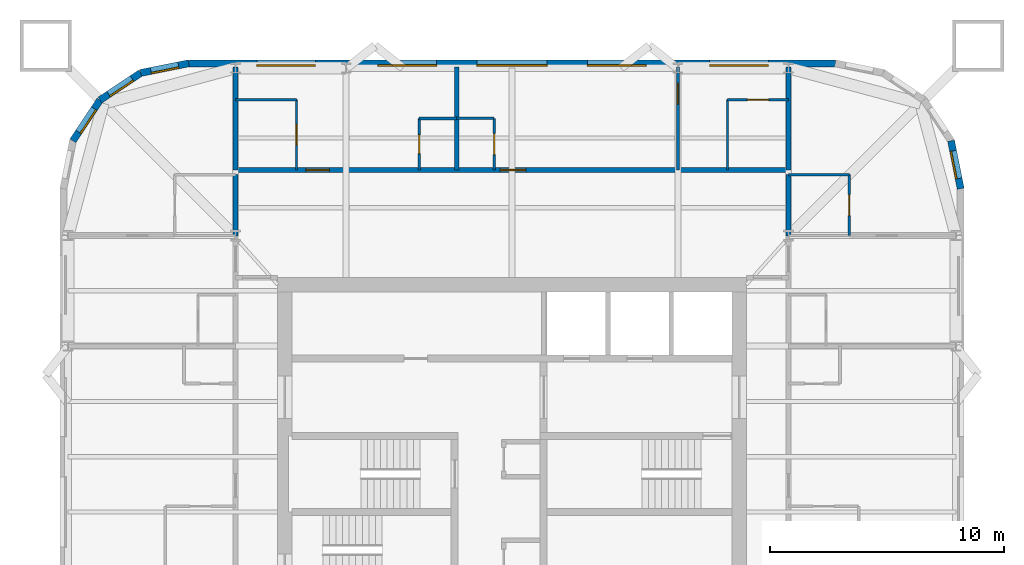
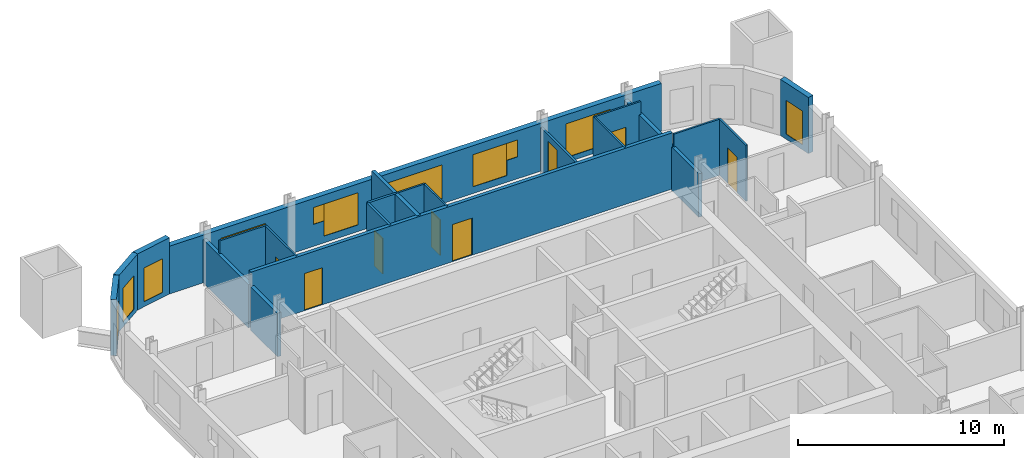
# One storey, part 7 of 9: 22 walls, 11 windows, 8 doors, 19 openings.
"""IFC4 building model written with IfcOpenShell, lengths in metres."""

from ifc_helpers import new_model, si_unit, direction, frame, frame_2d, origin, place, context, subcontext, project, spatial, rectangle, extrude, material, layer, layer_set, type_object, element, fill, save


model = new_model("IFC4")

# Units and contexts
model_context = context("Model", 3, precision=1e-05, world=origin(), true_north=direction((0.0, 1.0)))
body_context = subcontext(model_context, "Body", "Model", "MODEL_VIEW")
ifc_project = project(units=[si_unit("LENGTHUNIT", "METRE"), si_unit("AREAUNIT", "SQUARE_METRE"), si_unit("VOLUMEUNIT", "CUBIC_METRE"), si_unit("PLANEANGLEUNIT", "RADIAN"), si_unit("MASSUNIT", "GRAM", prefix="KILO")], contexts=[model_context])

# Site, building, storey
site_placement = place(None, origin())
site = spatial("IfcSite", under=ifc_project, at=site_placement, CompositionType="ELEMENT")
building_placement = place(site_placement, origin())
building = spatial("IfcBuilding", under=site, at=building_placement, Name="Turquesa Mirador Hotel Tower", CompositionType="ELEMENT")
storey_placement = place(building_placement, frame((0.0, 0.0, 200.300048828125)))
storey = spatial("IfcBuildingStorey", under=building, at=storey_placement, Name="L54", CompositionType="ELEMENT", Elevation=200.300048828125)

# Walls
ifc_material_1 = material(Name="Gypsum board on steel studs", Category="steel")
ifc_layer_1 = layer(ifc_material_1, 0.10009765625)
ifc_layer_set_1 = layer_set([ifc_layer_1], Name="BATHROOM WALL 100")
wall_type_1 = type_object("IfcWallType", Name="BATHROOM WALL 100", PredefinedType="PARTITIONING", material=ifc_layer_set_1)
wall_1_placement = place(storey_placement, frame((66.800048828125, 59.39990234375, 0.0), z_axis=(0.0, 0.0, 1.0), x_axis=(1.0, 0.0, 0.0)))
element("IfcWall", 1, at=wall_1_placement, inside=storey, type_object=wall_type_1, Name="Partition L54 029", PredefinedType="PARTITIONING", context=body_context, shape_type="SweptSolid", body=[
    extrude(rectangle(XDim=2.599853515625, YDim=0.10009765625, at=frame_2d((1.2998046875, 0.0))), origin(), (0.0, 0.0, 1.0), 3.329833984375),
])
wall_2_placement = place(storey_placement, frame((52.639892578125, 61.800048828125, 0.0), z_axis=(0.0, 0.0, 1.0), x_axis=(1.0, 0.0, 0.0)))
element("IfcWall", 2, at=wall_2_placement, inside=storey, type_object=wall_type_1, Name="Partition L54 031", PredefinedType="PARTITIONING", context=body_context, shape_type="SweptSolid", body=[
    extrude(rectangle(XDim=1.60009765625, YDim=0.10009765625, at=frame_2d((0.800048828125, 0.0))), origin(), (0.0, 0.0, 1.0), 3.329833984375),
])
wall_3_placement = place(storey_placement, frame((43.199951171875, 62.60009765625, 0.0), z_axis=(0.0, 0.0, 1.0), x_axis=(1.0, 0.0, 0.0)))
element("IfcWall", 3, at=wall_3_placement, inside=storey, type_object=wall_type_1, Name="Partition L54 033", PredefinedType="PARTITIONING", context=body_context, shape_type="SweptSolid", body=[
    extrude(rectangle(XDim=2.60009765625, YDim=0.10009765625, at=frame_2d((1.300048828125, 0.0))), origin(), (0.0, 0.0, 1.0), 3.329833984375),
])

# Wall, opening, door
wall_4_placement = place(storey_placement, frame((64.199951171875, 62.60009765625, 0.0), z_axis=(0.0, 0.0, 1.0), x_axis=(1.0, 0.0, 0.0)))
wall_4 = element("IfcWall", 4, at=wall_4_placement, inside=storey, type_object=wall_type_1, Name="Partition L54 034", PredefinedType="PARTITIONING", context=body_context, shape_type="SweptSolid", body=[
    extrude(rectangle(XDim=2.60009765625, YDim=0.10009765625, at=frame_2d((1.300048828125, 0.0))), origin(), (0.0, 0.0, 1.0), 3.329833984375),
])
opening_1_placement = place(wall_4_placement, frame((0.85009765625, 0.0, 0.0)))
opening_1 = element("IfcOpeningElement", 5, at=opening_1_placement, cuts=wall_4, Name="Opening D02", PredefinedType="OPENING", context=body_context, shape_type="SweptSolid", body=[
    extrude(rectangle(XDim=0.89990234375, YDim=2.10009765625, at=frame_2d((0.449951171875, 1.050048828125))), frame((0.0, 0.06005859375, 0.0), z_axis=(0.0, -1.0, 0.0), x_axis=(1.0, 0.0, 0.0)), (0.0, 0.0, 1.0), 0.1201171875),
])
ifc_material_2 = material(Name="Timber veneered door", Category="wood")
door_type_1 = type_object("IfcDoorType", Name="DOOR 900X2100 EN-SUITE", OperationType="SINGLE_SWING_RIGHT", PredefinedType="DOOR", material=ifc_material_2)
door_1_placement = place(opening_1_placement, origin())
door_1 = element("IfcDoor", 6, at=door_1_placement, inside=storey, type_object=door_type_1, Name="Door 5402B", OperationType="SINGLE_SWING_RIGHT", OverallHeight=2.10009765625, OverallWidth=0.89990234375, PredefinedType="DOOR", context=body_context, shape_type="SweptSolid", body=[
    extrude(rectangle(XDim=0.89990234375, YDim=2.10009765625, at=frame_2d((0.449951171875, 1.050048828125))), frame((0.0, 0.02490234375, 0.0), z_axis=(0.0, -1.0, 0.0), x_axis=(1.0, 0.0, 0.0)), (0.0, 0.0, 1.0), 0.050048828125),
])
fill(opening_1, door_1)

wall_5_placement = place(storey_placement, frame((54.239990234375, 59.60009765625, 0.0), z_axis=(0.0, 0.0, 1.0), x_axis=(0.0, 1.0, 0.0)))
wall_5 = element("IfcWall", 7, at=wall_5_placement, inside=storey, type_object=wall_type_1, Name="Partition L54 042", PredefinedType="PARTITIONING", context=body_context, shape_type="SweptSolid", body=[
    extrude(rectangle(XDim=2.199951171875, YDim=0.10009765625, at=frame_2d((1.10009765625, 0.0))), origin(), (0.0, 0.0, 1.0), 3.329833984375),
])
opening_2_placement = place(wall_5_placement, frame((0.64990234375, 0.0, 0.0)))
opening_2 = element("IfcOpeningElement", 8, at=opening_2_placement, cuts=wall_5, Name="Opening D06", PredefinedType="OPENING", context=body_context, shape_type="SweptSolid", body=[
    extrude(rectangle(XDim=0.89990234375, YDim=2.10009765625, at=frame_2d((0.449951171875, 1.050048828125))), frame((0.0, 0.06005859375, 0.0), z_axis=(0.0, -1.0, 0.0), x_axis=(1.0, 0.0, 0.0)), (0.0, 0.0, 1.0), 0.1201171875),
])
ifc_material_3 = material(Name="Laminate door", Category="wood")
door_type_2 = type_object("IfcDoorType", Name="DOOR 900X2100 WC", OperationType="SINGLE_SWING_LEFT", PredefinedType="DOOR", material=ifc_material_3)
door_2_placement = place(opening_2_placement, origin())
door_2 = element("IfcDoor", 9, at=door_2_placement, inside=storey, type_object=door_type_2, Name="Door 5402W", OperationType="SINGLE_SWING_LEFT", OverallHeight=2.10009765625, OverallWidth=0.89990234375, PredefinedType="DOOR", context=body_context, shape_type="SweptSolid", body=[
    extrude(rectangle(XDim=0.89990234375, YDim=2.10009765625, at=frame_2d((0.449951171875, 1.050048828125))), frame((0.0, 0.02490234375, 0.0), z_axis=(0.0, -1.0, 0.0), x_axis=(1.0, 0.0, 0.0)), (0.0, 0.0, 1.0), 0.050048828125),
])
fill(opening_2, door_2)

wall_6_placement = place(storey_placement, frame((45.800048828125, 59.60009765625, 0.0), z_axis=(0.0, 0.0, 1.0), x_axis=(0.0, 1.0, 0.0)))
wall_6 = element("IfcWall", 10, at=wall_6_placement, inside=storey, type_object=wall_type_1, Name="Partition L54 058", PredefinedType="PARTITIONING", context=body_context, shape_type="SweptSolid", body=[
    extrude(rectangle(XDim=3.0, YDim=0.10009765625, at=frame_2d((1.5, 0.0))), origin(), (0.0, 0.0, 1.0), 3.329833984375),
])
opening_3_placement = place(wall_6_placement, frame((1.050048828125, 0.0, 0.0)))
opening_3 = element("IfcOpeningElement", 11, at=opening_3_placement, cuts=wall_6, Name="Opening D02", PredefinedType="OPENING", context=body_context, shape_type="SweptSolid", body=[
    extrude(rectangle(XDim=0.89990234375, YDim=2.10009765625, at=frame_2d((0.449951171875, 1.050048828125))), frame((0.0, 0.06005859375, 0.0), z_axis=(0.0, -1.0, 0.0), x_axis=(1.0, 0.0, 0.0)), (0.0, 0.0, 1.0), 0.1201171875),
])
door_3_placement = place(opening_3_placement, origin())
door_3 = element("IfcDoor", 12, at=door_3_placement, inside=storey, type_object=door_type_1, Name="Door 5401B", OperationType="SINGLE_SWING_RIGHT", OverallHeight=2.10009765625, OverallWidth=0.89990234375, PredefinedType="DOOR", context=body_context, shape_type="SweptSolid", body=[
    extrude(rectangle(XDim=0.89990234375, YDim=2.10009765625, at=frame_2d((0.449951171875, 1.050048828125))), frame((0.0, 0.02490234375, 0.0), z_axis=(0.0, -1.0, 0.0), x_axis=(1.0, 0.0, 0.0)), (0.0, 0.0, 1.0), 0.050048828125),
])
fill(opening_3, door_3)

wall_7_placement = place(storey_placement, frame((69.39990234375, 56.800048828125, 0.0), z_axis=(0.0, 0.0, 1.0), x_axis=(0.0, 1.0, 0.0)))
wall_7 = element("IfcWall", 13, at=wall_7_placement, inside=storey, type_object=wall_type_1, Name="Partition L54 066", PredefinedType="PARTITIONING", context=body_context, shape_type="SweptSolid", body=[
    extrude(rectangle(XDim=2.599853515625, YDim=0.10009765625, at=frame_2d((1.2998046875, 0.0))), origin(), (0.0, 0.0, 1.0), 3.329833984375),
])
opening_4_placement = place(wall_7_placement, frame((0.85009765625, 0.0, 0.0)))
opening_4 = element("IfcOpeningElement", 14, at=opening_4_placement, cuts=wall_7, Name="Opening D02", PredefinedType="OPENING", context=body_context, shape_type="SweptSolid", body=[
    extrude(rectangle(XDim=0.89990234375, YDim=2.10009765625, at=frame_2d((0.449951171875, 1.050048828125))), frame((0.0, 0.06005859375, 0.0), z_axis=(0.0, -1.0, 0.0), x_axis=(1.0, 0.0, 0.0)), (0.0, 0.0, 1.0), 0.1201171875),
])
door_4_placement = place(opening_4_placement, origin())
door_4 = element("IfcDoor", 15, at=door_4_placement, inside=storey, type_object=door_type_1, Name="Door 5409B", OperationType="SINGLE_SWING_RIGHT", OverallHeight=2.10009765625, OverallWidth=0.89990234375, PredefinedType="DOOR", context=body_context, shape_type="SweptSolid", body=[
    extrude(rectangle(XDim=0.89990234375, YDim=2.10009765625, at=frame_2d((0.449951171875, 1.050048828125))), frame((0.0, 0.02490234375, 0.0), z_axis=(0.0, -1.0, 0.0), x_axis=(1.0, 0.0, 0.0)), (0.0, 0.0, 1.0), 0.050048828125),
])
fill(opening_4, door_4)

# Wall
wall_8_placement = place(storey_placement, frame((64.199951171875, 59.60009765625, 0.0), z_axis=(0.0, 0.0, 1.0), x_axis=(0.0, 1.0, 0.0)))
element("IfcWall", 16, at=wall_8_placement, inside=storey, type_object=wall_type_1, Name="Partition L54 072", PredefinedType="PARTITIONING", context=body_context, shape_type="SweptSolid", body=[
    extrude(rectangle(XDim=3.0, YDim=0.10009765625, at=frame_2d((1.5, 0.0))), origin(), (0.0, 0.0, 1.0), 3.329833984375),
])

# Wall, openings, doors
ifc_material_4 = material(Name="Fire-rated gypsum board on steel studs", Category="steel")
ifc_layer_2 = layer(ifc_material_4, 0.199951171875)
ifc_layer_set_2 = layer_set([ifc_layer_2], Name="CORRIDOR WALL 200")
wall_type_2 = type_object("IfcWallType", Name="CORRIDOR WALL 200", PredefinedType="PARTITIONING", material=ifc_layer_set_2)
wall_9_placement = place(storey_placement, frame((43.199951171875, 59.60009765625, 0.0), z_axis=(0.0, 0.0, 1.0), x_axis=(1.0, 0.0, 0.0)))
wall_9 = element("IfcWall", 17, at=wall_9_placement, inside=storey, type_object=wall_type_2, Name="Partition L54 030", PredefinedType="PARTITIONING", context=body_context, shape_type="SweptSolid", body=[
    extrude(rectangle(XDim=23.60009765625, YDim=0.199951171875, at=frame_2d((11.800048828125, 0.0))), origin(), (0.0, 0.0, 1.0), 3.329833984375),
])
opening_5_placement = place(wall_9_placement, frame((3.0, 0.0, 0.0)))
opening_5 = element("IfcOpeningElement", 18, at=opening_5_placement, cuts=wall_9, Name="Opening D01", PredefinedType="OPENING", context=body_context, shape_type="SweptSolid", body=[
    extrude(rectangle(XDim=1.0, YDim=2.199951171875, at=frame_2d((0.5, 1.10009765625))), frame((0.0, 0.10986328125, 0.0), z_axis=(0.0, -1.0, 0.0), x_axis=(1.0, 0.0, 0.0)), (0.0, 0.0, 1.0), 0.219970703125),
])
opening_6_placement = place(wall_9_placement, frame((11.2900390625, 0.0, 0.0)))
opening_6 = element("IfcOpeningElement", 19, at=opening_6_placement, cuts=wall_9, Name="Opening D15", PredefinedType="OPENING", context=body_context, shape_type="SweptSolid", body=[
    extrude(rectangle(XDim=1.10009765625, YDim=2.199951171875, at=frame_2d((0.550048828125, 1.10009765625))), frame((0.0, 0.10986328125, 0.0), z_axis=(0.0, -1.0, 0.0), x_axis=(1.0, 0.0, 0.0)), (0.0, 0.0, 1.0), 0.219970703125),
])
ifc_material_5 = material(Name="Timber veneered fire door", Category="wood")
door_type_3 = type_object("IfcDoorType", Name="DOOR 1000X2200 GUEST ENTRY", OperationType="SINGLE_SWING_LEFT", PredefinedType="DOOR", material=ifc_material_5)
door_5_placement = place(opening_5_placement, origin())
door_5 = element("IfcDoor", 20, at=door_5_placement, inside=storey, type_object=door_type_3, Name="Door 5401", OperationType="SINGLE_SWING_LEFT", OverallHeight=2.199951171875, OverallWidth=1.0, PredefinedType="DOOR", context=body_context, shape_type="SweptSolid", body=[
    extrude(rectangle(XDim=1.0, YDim=2.199951171875, at=frame_2d((0.5, 1.10009765625))), frame((0.0, 0.02490234375, 0.0), z_axis=(0.0, -1.0, 0.0), x_axis=(1.0, 0.0, 0.0)), (0.0, 0.0, 1.0), 0.050048828125),
])
fill(opening_5, door_5)
ifc_material_6 = material(Name="Timber veneered fire door", Category="wood")
door_type_4 = type_object("IfcDoorType", Name="DOOR 1100X2200 SUITE ENTRY", OperationType="SINGLE_SWING_LEFT", PredefinedType="DOOR", material=ifc_material_6)
door_6_placement = place(opening_6_placement, origin())
door_6 = element("IfcDoor", 21, at=door_6_placement, inside=storey, type_object=door_type_4, Name="Door 5402", OperationType="SINGLE_SWING_LEFT", OverallHeight=2.199951171875, OverallWidth=1.10009765625, PredefinedType="DOOR", context=body_context, shape_type="SweptSolid", body=[
    extrude(rectangle(XDim=1.10009765625, YDim=2.199951171875, at=frame_2d((0.550048828125, 1.10009765625))), frame((0.0, 0.02490234375, 0.0), z_axis=(0.0, -1.0, 0.0), x_axis=(1.0, 0.0, 0.0)), (0.0, 0.0, 1.0), 0.050048828125),
])
fill(opening_6, door_6)

# Walls
for number, where, z_axis, x_axis, name in (
    (22, (43.199951171875, 56.780029296875, 0.0), (0.0, 0.0, 1.0), (0.0, 1.0, 0.0), "Partition L54 074"),
    (23, (66.800048828125, 56.780029296875, 0.0), (0.0, 0.0, 1.0), (0.0, 1.0, 0.0), "Partition L54 076"),
):
    element("IfcWall", number, at=place(storey_placement, frame(where, z_axis=z_axis, x_axis=x_axis)), inside=storey, type_object=wall_type_2, Name=name, PredefinedType="PARTITIONING", context=body_context, shape_type="SweptSolid", body=[
        extrude(rectangle(XDim=2.619873046875, YDim=0.199951171875, at=frame_2d((1.31005859375, 0.0))), origin(), (0.0, 0.0, 1.0), 2.572998046875),
    ])

# Wall, opening, window
ifc_material_7 = material(Name="Limestone cladding on concrete block", Category="masonry")
ifc_layer_3 = layer(ifc_material_7, 0.300048828125)
ifc_layer_set_3 = layer_set([ifc_layer_3], Name="FACADE WALL 300 STONE SCREEN")
wall_type_3 = type_object("IfcWallType", Name="FACADE WALL 300 STONE SCREEN", PredefinedType="SOLIDWALL", material=ifc_layer_set_3)
wall_10_placement = place(storey_placement, frame((74.14990234375, 58.800048828125, 0.0), z_axis=(0.0, 0.0, 1.0), x_axis=(-0.195081421501, 0.980787050784, 0.0)))
wall_10 = element("IfcWall", 24, at=wall_10_placement, inside=storey, type_object=wall_type_3, Name="Facade wall L54 05", PredefinedType="SOLIDWALL", context=body_context, shape_type="SweptSolid", body=[
    extrude(rectangle(XDim=2.08740234375, YDim=0.300048828125, at=frame_2d((1.043701171875, 0.0))), origin(), (0.0, 0.0, 1.0), 3.329833984375),
])
opening_7_placement = place(wall_10_placement, frame((0.443603515625, 0.0, 0.300048828125)))
opening_7 = element("IfcOpeningElement", 25, at=opening_7_placement, cuts=wall_10, Name="Opening WN4", PredefinedType="OPENING", context=body_context, shape_type="SweptSolid", body=[
    extrude(rectangle(XDim=1.199951171875, YDim=2.0, at=frame_2d((0.60009765625, 1.0))), frame((0.0, 0.159912109375, 0.0), z_axis=(0.0, -1.0, 0.0), x_axis=(1.0, 0.0, 0.0)), (0.0, 0.0, 1.0), 0.320068359375),
])
ifc_material_8 = material(Name="Ceramic-fritted laminated glass", Category="glass")
window_type_1 = type_object("IfcWindowType", Name="FRITTED CORNER WINDOW 1200X2000", PartitioningType="DOUBLE_PANEL_HORIZONTAL", PredefinedType="WINDOW", material=ifc_material_8)
window_1_placement = place(opening_7_placement, origin())
window_1 = element("IfcWindow", 26, at=window_1_placement, inside=storey, type_object=window_type_1, Name="Window L54", OverallHeight=2.0, OverallWidth=1.199951171875, PartitioningType="SINGLE_PANEL", PredefinedType="WINDOW", context=body_context, shape_type="SweptSolid", body=[
    extrude(rectangle(XDim=1.199951171875, YDim=2.0, at=frame_2d((0.60009765625, 1.0))), frame((0.0, 0.130126953125, 0.0), z_axis=(0.0, -1.0, 0.0), x_axis=(1.0, 0.0, 0.0)), (0.0, 0.0, 1.0), 0.06005859375),
])
fill(opening_7, window_1)

# Wall, openings, windows
wall_11_placement = place(storey_placement, frame((68.800048828125, 64.14990234375, 0.0), z_axis=(0.0, 0.0, 1.0), x_axis=(-1.0, 0.0, 0.0)))
wall_11 = element("IfcWall", 27, at=wall_11_placement, inside=storey, type_object=wall_type_3, Name="Facade wall L54 09", PredefinedType="SOLIDWALL", context=body_context, shape_type="SweptSolid", body=[
    extrude(rectangle(XDim=27.60009765625, YDim=0.300048828125, at=frame_2d((13.800048828125, 0.0))), origin(), (0.0, 0.0, 1.0), 2.829833984375),
])
opening_8_placement = place(wall_11_placement, frame((2.860107421875, 0.0, 0.300048828125)))
opening_8 = element("IfcOpeningElement", 28, at=opening_8_placement, cuts=wall_11, Name="Opening WN52", PredefinedType="OPENING", context=body_context, shape_type="SweptSolid", body=[
    extrude(rectangle(XDim=2.5, YDim=2.0, at=frame_2d((1.25, 1.0))), frame((0.0, 0.159912109375, 0.0), z_axis=(0.0, -1.0, 0.0), x_axis=(1.0, 0.0, 0.0)), (0.0, 0.0, 1.0), 0.320068359375),
])
opening_9_placement = place(wall_11_placement, frame((8.679931640625, 0.0, 0.39990234375)))
opening_9 = element("IfcOpeningElement", 29, at=opening_9_placement, cuts=wall_11, Name="Opening WN48", PredefinedType="OPENING", context=body_context, shape_type="SweptSolid", body=[
    extrude(rectangle(XDim=1.89990234375, YDim=1.89990234375, at=frame_2d((0.949951171875, 0.949951171875))), frame((0.0, 0.159912109375, 0.0), z_axis=(0.0, -1.0, 0.0), x_axis=(1.0, 0.0, 0.0)), (0.0, 0.0, 1.0), 0.320068359375),
])
opening_10_placement = place(wall_11_placement, frame((12.300048828125, 0.0, 0.300048828125)))
opening_10 = element("IfcOpeningElement", 30, at=opening_10_placement, cuts=wall_11, Name="Opening WN1", PredefinedType="OPENING", context=body_context, shape_type="SweptSolid", body=[
    extrude(rectangle(XDim=3.0, YDim=2.0, at=frame_2d((1.5, 1.0))), frame((0.0, 0.159912109375, 0.0), z_axis=(0.0, -1.0, 0.0), x_axis=(1.0, 0.0, 0.0)), (0.0, 0.0, 1.0), 0.320068359375),
])
opening_11_placement = place(wall_11_placement, frame((17.02001953125, 0.0, 0.39990234375)))
opening_11 = element("IfcOpeningElement", 31, at=opening_11_placement, cuts=wall_11, Name="Opening WN48", PredefinedType="OPENING", context=body_context, shape_type="SweptSolid", body=[
    extrude(rectangle(XDim=1.89990234375, YDim=1.89990234375, at=frame_2d((0.949951171875, 0.949951171875))), frame((0.0, 0.159912109375, 0.0), z_axis=(0.0, -1.0, 0.0), x_axis=(1.0, 0.0, 0.0)), (0.0, 0.0, 1.0), 0.320068359375),
])
opening_12_placement = place(wall_11_placement, frame((22.18994140625, 0.0, 0.300048828125)))
opening_12 = element("IfcOpeningElement", 32, at=opening_12_placement, cuts=wall_11, Name="Opening WN52", PredefinedType="OPENING", context=body_context, shape_type="SweptSolid", body=[
    extrude(rectangle(XDim=2.5, YDim=2.0, at=frame_2d((1.25, 1.0))), frame((0.0, 0.159912109375, 0.0), z_axis=(0.0, -1.0, 0.0), x_axis=(1.0, 0.0, 0.0)), (0.0, 0.0, 1.0), 0.320068359375),
])
opening_13_placement = place(wall_11_placement, frame((8.080078125, 0.0, 1.300048828125)))
opening_13 = element("IfcOpeningElement", 33, at=opening_13_placement, cuts=wall_11, Name="Opening WN29", PredefinedType="OPENING", context=body_context, shape_type="SweptSolid", body=[
    extrude(rectangle(XDim=0.60009765625, YDim=1.0, at=frame_2d((0.300048828125, 0.5))), frame((0.0, 0.159912109375, 0.0), z_axis=(0.0, -1.0, 0.0), x_axis=(1.0, 0.0, 0.0)), (0.0, 0.0, 1.0), 0.320068359375),
])
opening_14_placement = place(wall_11_placement, frame((18.919921875, 0.0, 1.300048828125)))
opening_14 = element("IfcOpeningElement", 34, at=opening_14_placement, cuts=wall_11, Name="Opening WN29", PredefinedType="OPENING", context=body_context, shape_type="SweptSolid", body=[
    extrude(rectangle(XDim=0.60009765625, YDim=1.0, at=frame_2d((0.300048828125, 0.5))), frame((0.0, 0.159912109375, 0.0), z_axis=(0.0, -1.0, 0.0), x_axis=(1.0, 0.0, 0.0)), (0.0, 0.0, 1.0), 0.320068359375),
])
ifc_material_9 = material(Name="Ceramic-fritted laminated glass", Category="glass")
window_type_2 = type_object("IfcWindowType", Name="FRITTED WINDOW 1900X1900", PartitioningType="DOUBLE_PANEL_HORIZONTAL", PredefinedType="WINDOW", material=ifc_material_9)
window_2_placement = place(opening_9_placement, origin())
window_2 = element("IfcWindow", 35, at=window_2_placement, inside=storey, type_object=window_type_2, Name="Window L54", OverallHeight=1.89990234375, OverallWidth=1.89990234375, PartitioningType="SINGLE_PANEL", PredefinedType="WINDOW", context=body_context, shape_type="SweptSolid", body=[
    extrude(rectangle(XDim=1.89990234375, YDim=1.89990234375, at=frame_2d((0.949951171875, 0.949951171875))), frame((0.0, 0.130126953125, 0.0), z_axis=(0.0, -1.0, 0.0), x_axis=(1.0, 0.0, 0.0)), (0.0, 0.0, 1.0), 0.06005859375),
])
fill(opening_9, window_2)
window_3_placement = place(opening_11_placement, origin())
window_3 = element("IfcWindow", 36, at=window_3_placement, inside=storey, type_object=window_type_2, Name="Window L54", OverallHeight=1.89990234375, OverallWidth=1.89990234375, PartitioningType="SINGLE_PANEL", PredefinedType="WINDOW", context=body_context, shape_type="SweptSolid", body=[
    extrude(rectangle(XDim=1.89990234375, YDim=1.89990234375, at=frame_2d((0.949951171875, 0.949951171875))), frame((0.0, 0.130126953125, 0.0), z_axis=(0.0, -1.0, 0.0), x_axis=(1.0, 0.0, 0.0)), (0.0, 0.0, 1.0), 0.06005859375),
])
fill(opening_11, window_3)
ifc_material_10 = material(Name="Ceramic-fritted laminated glass", Category="glass")
window_type_3 = type_object("IfcWindowType", Name="FRITTED WINDOW 2500X2000", PartitioningType="DOUBLE_PANEL_HORIZONTAL", PredefinedType="WINDOW", material=ifc_material_10)
window_4_placement = place(opening_8_placement, origin())
window_4 = element("IfcWindow", 37, at=window_4_placement, inside=storey, type_object=window_type_3, Name="Window L54", OverallHeight=2.0, OverallWidth=2.5, PartitioningType="SINGLE_PANEL", PredefinedType="WINDOW", context=body_context, shape_type="SweptSolid", body=[
    extrude(rectangle(XDim=2.5, YDim=2.0, at=frame_2d((1.25, 1.0))), frame((0.0, 0.130126953125, 0.0), z_axis=(0.0, -1.0, 0.0), x_axis=(1.0, 0.0, 0.0)), (0.0, 0.0, 1.0), 0.06005859375),
])
fill(opening_8, window_4)
window_5_placement = place(opening_12_placement, origin())
window_5 = element("IfcWindow", 38, at=window_5_placement, inside=storey, type_object=window_type_3, Name="Window L54", OverallHeight=2.0, OverallWidth=2.5, PartitioningType="SINGLE_PANEL", PredefinedType="WINDOW", context=body_context, shape_type="SweptSolid", body=[
    extrude(rectangle(XDim=2.5, YDim=2.0, at=frame_2d((1.25, 1.0))), frame((0.0, 0.130126953125, 0.0), z_axis=(0.0, -1.0, 0.0), x_axis=(1.0, 0.0, 0.0)), (0.0, 0.0, 1.0), 0.06005859375),
])
fill(opening_12, window_5)
ifc_material_11 = material(Name="Ceramic-fritted laminated glass", Category="glass")
window_type_4 = type_object("IfcWindowType", Name="FRITTED WINDOW 3000X2000", PartitioningType="DOUBLE_PANEL_HORIZONTAL", PredefinedType="WINDOW", material=ifc_material_11)
window_6_placement = place(opening_10_placement, origin())
window_6 = element("IfcWindow", 39, at=window_6_placement, inside=storey, type_object=window_type_4, Name="Window L54", OverallHeight=2.0, OverallWidth=3.0, PartitioningType="SINGLE_PANEL", PredefinedType="WINDOW", context=body_context, shape_type="SweptSolid", body=[
    extrude(rectangle(XDim=3.0, YDim=2.0, at=frame_2d((1.5, 1.0))), frame((0.0, 0.130126953125, 0.0), z_axis=(0.0, -1.0, 0.0), x_axis=(1.0, 0.0, 0.0)), (0.0, 0.0, 1.0), 0.06005859375),
])
fill(opening_10, window_6)
ifc_material_12 = material(Name="Ceramic-fritted laminated glass", Category="glass")
window_type_5 = type_object("IfcWindowType", Name="FRITTED WINDOW 600X1000", PartitioningType="DOUBLE_PANEL_HORIZONTAL", PredefinedType="WINDOW", material=ifc_material_12)
window_7_placement = place(opening_13_placement, origin())
window_7 = element("IfcWindow", 40, at=window_7_placement, inside=storey, type_object=window_type_5, Name="Window L54", OverallHeight=1.0, OverallWidth=0.60009765625, PartitioningType="SINGLE_PANEL", PredefinedType="WINDOW", context=body_context, shape_type="SweptSolid", body=[
    extrude(rectangle(XDim=0.60009765625, YDim=1.0, at=frame_2d((0.300048828125, 0.5))), frame((0.0, 0.130126953125, 0.0), z_axis=(0.0, -1.0, 0.0), x_axis=(1.0, 0.0, 0.0)), (0.0, 0.0, 1.0), 0.06005859375),
])
fill(opening_13, window_7)
window_8_placement = place(opening_14_placement, origin())
window_8 = element("IfcWindow", 41, at=window_8_placement, inside=storey, type_object=window_type_5, Name="Window L54", OverallHeight=1.0, OverallWidth=0.60009765625, PartitioningType="SINGLE_PANEL", PredefinedType="WINDOW", context=body_context, shape_type="SweptSolid", body=[
    extrude(rectangle(XDim=0.60009765625, YDim=1.0, at=frame_2d((0.300048828125, 0.5))), frame((0.0, 0.130126953125, 0.0), z_axis=(0.0, -1.0, 0.0), x_axis=(1.0, 0.0, 0.0)), (0.0, 0.0, 1.0), 0.06005859375),
])
fill(opening_14, window_8)

# Wall, opening, window
wall_12_placement = place(storey_placement, frame((41.199951171875, 64.14990234375, 0.0), z_axis=(0.0, 0.0, 1.0), x_axis=(-0.980787050784, -0.195081421501, 0.0)))
wall_12 = element("IfcWall", 42, at=wall_12_placement, inside=storey, type_object=wall_type_3, Name="Facade wall L54 10", PredefinedType="SOLIDWALL", context=body_context, shape_type="SweptSolid", body=[
    extrude(rectangle(XDim=2.08740234375, YDim=0.300048828125, at=frame_2d((1.043701171875, 0.0))), origin(), (0.0, 0.0, 1.0), 3.329833984375),
])
opening_15_placement = place(wall_12_placement, frame((0.443603515625, 0.0, 0.300048828125)))
opening_15 = element("IfcOpeningElement", 43, at=opening_15_placement, cuts=wall_12, Name="Opening WN4", PredefinedType="OPENING", context=body_context, shape_type="SweptSolid", body=[
    extrude(rectangle(XDim=1.199951171875, YDim=2.0, at=frame_2d((0.60009765625, 1.0))), frame((0.0, 0.159912109375, 0.0), z_axis=(0.0, -1.0, 0.0), x_axis=(1.0, 0.0, 0.0)), (0.0, 0.0, 1.0), 0.320068359375),
])
window_9_placement = place(opening_15_placement, origin())
window_9 = element("IfcWindow", 44, at=window_9_placement, inside=storey, type_object=window_type_1, Name="Window L54", OverallHeight=2.0, OverallWidth=1.199951171875, PartitioningType="SINGLE_PANEL", PredefinedType="WINDOW", context=body_context, shape_type="SweptSolid", body=[
    extrude(rectangle(XDim=1.199951171875, YDim=2.0, at=frame_2d((0.60009765625, 1.0))), frame((0.0, 0.130126953125, 0.0), z_axis=(0.0, -1.0, 0.0), x_axis=(1.0, 0.0, 0.0)), (0.0, 0.0, 1.0), 0.06005859375),
])
fill(opening_15, window_9)

wall_13_placement = place(storey_placement, frame((39.152587890625, 63.74267578125, 0.0), z_axis=(0.0, 0.0, 1.0), x_axis=(-0.831474039234, -0.555563607591, 0.0)))
wall_13 = element("IfcWall", 45, at=wall_13_placement, inside=storey, type_object=wall_type_3, Name="Facade wall L54 11", PredefinedType="SOLIDWALL", context=body_context, shape_type="SweptSolid", body=[
    extrude(rectangle(XDim=2.08740234375, YDim=0.300048828125, at=frame_2d((1.043701171875, 0.0))), origin(), (0.0, 0.0, 1.0), 3.329833984375),
])
opening_16_placement = place(wall_13_placement, frame((0.443603515625, 0.0, 0.300048828125)))
opening_16 = element("IfcOpeningElement", 46, at=opening_16_placement, cuts=wall_13, Name="Opening WN4", PredefinedType="OPENING", context=body_context, shape_type="SweptSolid", body=[
    extrude(rectangle(XDim=1.199951171875, YDim=2.0, at=frame_2d((0.60009765625, 1.0))), frame((0.0, 0.159912109375, 0.0), z_axis=(0.0, -1.0, 0.0), x_axis=(1.0, 0.0, 0.0)), (0.0, 0.0, 1.0), 0.320068359375),
])
window_10_placement = place(opening_16_placement, origin())
window_10 = element("IfcWindow", 47, at=window_10_placement, inside=storey, type_object=window_type_1, Name="Window L54", OverallHeight=2.0, OverallWidth=1.199951171875, PartitioningType="SINGLE_PANEL", PredefinedType="WINDOW", context=body_context, shape_type="SweptSolid", body=[
    extrude(rectangle(XDim=1.199951171875, YDim=2.0, at=frame_2d((0.60009765625, 1.0))), frame((0.0, 0.130126953125, 0.0), z_axis=(0.0, -1.0, 0.0), x_axis=(1.0, 0.0, 0.0)), (0.0, 0.0, 1.0), 0.06005859375),
])
fill(opening_16, window_10)

wall_14_placement = place(storey_placement, frame((37.4169921875, 62.5830078125, 0.0), z_axis=(0.0, 0.0, 1.0), x_axis=(-0.555563607591, -0.831474039234, 0.0)))
wall_14 = element("IfcWall", 48, at=wall_14_placement, inside=storey, type_object=wall_type_3, Name="Facade wall L54 12", PredefinedType="SOLIDWALL", context=body_context, shape_type="SweptSolid", body=[
    extrude(rectangle(XDim=2.08740234375, YDim=0.300048828125, at=frame_2d((1.043701171875, 0.0))), origin(), (0.0, 0.0, 1.0), 3.329833984375),
])
opening_17_placement = place(wall_14_placement, frame((0.443603515625, 0.0, 0.300048828125)))
opening_17 = element("IfcOpeningElement", 49, at=opening_17_placement, cuts=wall_14, Name="Opening WN4", PredefinedType="OPENING", context=body_context, shape_type="SweptSolid", body=[
    extrude(rectangle(XDim=1.199951171875, YDim=2.0, at=frame_2d((0.60009765625, 1.0))), frame((0.0, 0.159912109375, 0.0), z_axis=(0.0, -1.0, 0.0), x_axis=(1.0, 0.0, 0.0)), (0.0, 0.0, 1.0), 0.320068359375),
])
window_11_placement = place(opening_17_placement, origin())
window_11 = element("IfcWindow", 50, at=window_11_placement, inside=storey, type_object=window_type_1, Name="Window L54", OverallHeight=2.0, OverallWidth=1.199951171875, PartitioningType="SINGLE_PANEL", PredefinedType="WINDOW", context=body_context, shape_type="SweptSolid", body=[
    extrude(rectangle(XDim=1.199951171875, YDim=2.0, at=frame_2d((0.60009765625, 1.0))), frame((0.0, 0.130126953125, 0.0), z_axis=(0.0, -1.0, 0.0), x_axis=(1.0, 0.0, 0.0)), (0.0, 0.0, 1.0), 0.06005859375),
])
fill(opening_17, window_11)

# Walls
ifc_material_13 = material(Name="Fire-rated gypsum board on steel studs", Category="steel")
ifc_layer_4 = layer(ifc_material_13, 0.199951171875)
ifc_layer_set_4 = layer_set([ifc_layer_4], Name="PARTY WALL 200")
wall_type_4 = type_object("IfcWallType", Name="PARTY WALL 200", PredefinedType="PARTITIONING", material=ifc_layer_set_4)
wall_15_placement = place(storey_placement, frame((43.199951171875, 59.60009765625, 0.0), z_axis=(0.0, 0.0, 1.0), x_axis=(0.0, 1.0, 0.0)))
element("IfcWall", 51, at=wall_15_placement, inside=storey, type_object=wall_type_4, Name="Partition L54 045", PredefinedType="PARTITIONING", context=body_context, shape_type="SweptSolid", body=[
    extrude(rectangle(XDim=4.39990234375, YDim=0.199951171875, at=frame_2d((2.199951171875, 0.0))), origin(), (0.0, 0.0, 1.0), 2.572998046875),
])
wall_16_placement = place(storey_placement, frame((52.639892578125, 59.60009765625, 0.0), z_axis=(0.0, 0.0, 1.0), x_axis=(0.0, 1.0, 0.0)))
element("IfcWall", 52, at=wall_16_placement, inside=storey, type_object=wall_type_4, Name="Partition L54 054", PredefinedType="PARTITIONING", context=body_context, shape_type="SweptSolid", body=[
    extrude(rectangle(XDim=4.39990234375, YDim=0.199951171875, at=frame_2d((2.199951171875, 0.0))), origin(), (0.0, 0.0, 1.0), 3.329833984375),
])
wall_17_placement = place(storey_placement, frame((66.800048828125, 59.60009765625, 0.0), z_axis=(0.0, 0.0, 1.0), x_axis=(0.0, 1.0, 0.0)))
element("IfcWall", 53, at=wall_17_placement, inside=storey, type_object=wall_type_4, Name="Partition L54 061", PredefinedType="PARTITIONING", context=body_context, shape_type="SweptSolid", body=[
    extrude(rectangle(XDim=4.39990234375, YDim=0.199951171875, at=frame_2d((2.199951171875, 0.0))), origin(), (0.0, 0.0, 1.0), 2.572998046875),
])
ifc_material_14 = material(Name="Acoustic gypsum board on steel studs", Category="steel")
ifc_layer_5 = layer(ifc_material_14, 0.125)
ifc_layer_set_5 = layer_set([ifc_layer_5], Name="SUITE PARTITION 125")
wall_type_5 = type_object("IfcWallType", Name="SUITE PARTITION 125", PredefinedType="PARTITIONING", material=ifc_layer_set_5)
wall_18_placement = place(storey_placement, frame((51.0400390625, 61.800048828125, 0.0), z_axis=(0.0, 0.0, 1.0), x_axis=(1.0, 0.0, 0.0)))
element("IfcWall", 54, at=wall_18_placement, inside=storey, type_object=wall_type_5, Name="Partition L54 032", PredefinedType="PARTITIONING", context=body_context, shape_type="SweptSolid", body=[
    extrude(rectangle(XDim=1.599853515625, YDim=0.125, at=frame_2d((0.7998046875, 0.0))), origin(), (0.0, 0.0, 1.0), 3.329833984375),
])

# Wall, opening, door
wall_19_placement = place(storey_placement, frame((51.0400390625, 59.60009765625, 0.0), z_axis=(0.0, 0.0, 1.0), x_axis=(0.0, 1.0, 0.0)))
wall_19 = element("IfcWall", 55, at=wall_19_placement, inside=storey, type_object=wall_type_5, Name="Partition L54 056", PredefinedType="PARTITIONING", context=body_context, shape_type="SweptSolid", body=[
    extrude(rectangle(XDim=2.199951171875, YDim=0.125, at=frame_2d((1.10009765625, 0.0))), origin(), (0.0, 0.0, 1.0), 3.329833984375),
])
opening_18_placement = place(wall_19_placement, frame((0.699951171875, 0.0, 0.0)))
opening_18 = element("IfcOpeningElement", 56, at=opening_18_placement, cuts=wall_19, Name="Opening D20", PredefinedType="OPENING", context=body_context, shape_type="SweptSolid", body=[
    extrude(rectangle(XDim=0.800048828125, YDim=2.10009765625, at=frame_2d((0.39990234375, 1.050048828125))), frame((0.0, 0.072509765625, 0.0), z_axis=(0.0, -1.0, 0.0), x_axis=(1.0, 0.0, 0.0)), (0.0, 0.0, 1.0), 0.14501953125),
])
ifc_material_15 = material(Name="Timber veneered sliding door", Category="wood")
door_type_5 = type_object("IfcDoorType", Name="DOOR 800X2100 WARDROBE", OperationType="SLIDING_TO_LEFT", PredefinedType="DOOR", material=ifc_material_15)
door_7_placement = place(opening_18_placement, origin())
door_7 = element("IfcDoor", 57, at=door_7_placement, inside=storey, type_object=door_type_5, Name="Door 5401W", OperationType="SLIDING_TO_LEFT", OverallHeight=2.10009765625, OverallWidth=0.800048828125, PredefinedType="DOOR", context=body_context, shape_type="SweptSolid", body=[
    extrude(rectangle(XDim=0.800048828125, YDim=2.10009765625, at=frame_2d((0.39990234375, 1.050048828125))), frame((0.0, 0.02490234375, 0.0), z_axis=(0.0, -1.0, 0.0), x_axis=(1.0, 0.0, 0.0)), (0.0, 0.0, 1.0), 0.050048828125),
])
fill(opening_18, door_7)

wall_20_placement = place(storey_placement, frame((62.080078125, 59.60009765625, 0.0), z_axis=(0.0, 0.0, 1.0), x_axis=(0.0, 1.0, 0.0)))
wall_20 = element("IfcWall", 58, at=wall_20_placement, inside=storey, type_object=wall_type_5, Name="Partition L54 070", PredefinedType="PARTITIONING", context=body_context, shape_type="SweptSolid", body=[
    extrude(rectangle(XDim=4.39990234375, YDim=0.125, at=frame_2d((2.199951171875, 0.0))), origin(), (0.0, 0.0, 1.0), 2.572998046875),
])
opening_19_placement = place(wall_20_placement, frame((2.800048828125, 0.0, 0.0)))
opening_19 = element("IfcOpeningElement", 59, at=opening_19_placement, cuts=wall_20, Name="Opening D17", PredefinedType="OPENING", context=body_context, shape_type="SweptSolid", body=[
    extrude(rectangle(XDim=0.89990234375, YDim=2.199951171875, at=frame_2d((0.449951171875, 1.10009765625))), frame((0.0, 0.072509765625, 0.0), z_axis=(0.0, -1.0, 0.0), x_axis=(1.0, 0.0, 0.0)), (0.0, 0.0, 1.0), 0.14501953125),
])
ifc_material_16 = material(Name="Timber veneered door", Category="wood")
door_type_6 = type_object("IfcDoorType", Name="DOOR 900X2200 SUITE INTERNAL", OperationType="SINGLE_SWING_LEFT", PredefinedType="DOOR", material=ifc_material_16)
door_8_placement = place(opening_19_placement, origin())
door_8 = element("IfcDoor", 60, at=door_8_placement, inside=storey, type_object=door_type_6, Name="Door 5402R", OperationType="SINGLE_SWING_LEFT", OverallHeight=2.199951171875, OverallWidth=0.89990234375, PredefinedType="DOOR", context=body_context, shape_type="SweptSolid", body=[
    extrude(rectangle(XDim=0.89990234375, YDim=2.199951171875, at=frame_2d((0.449951171875, 1.10009765625))), frame((0.0, 0.02490234375, 0.0), z_axis=(0.0, -1.0, 0.0), x_axis=(1.0, 0.0, 0.0)), (0.0, 0.0, 1.0), 0.050048828125),
])
fill(opening_19, door_8)

save(model, "model.ifc")
